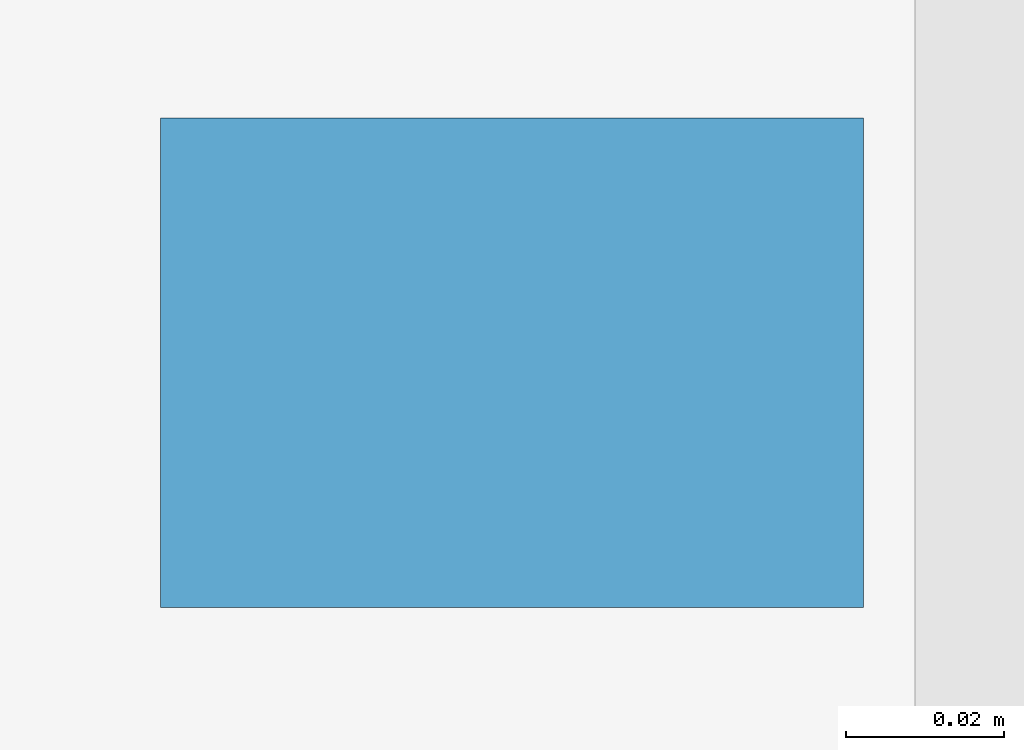
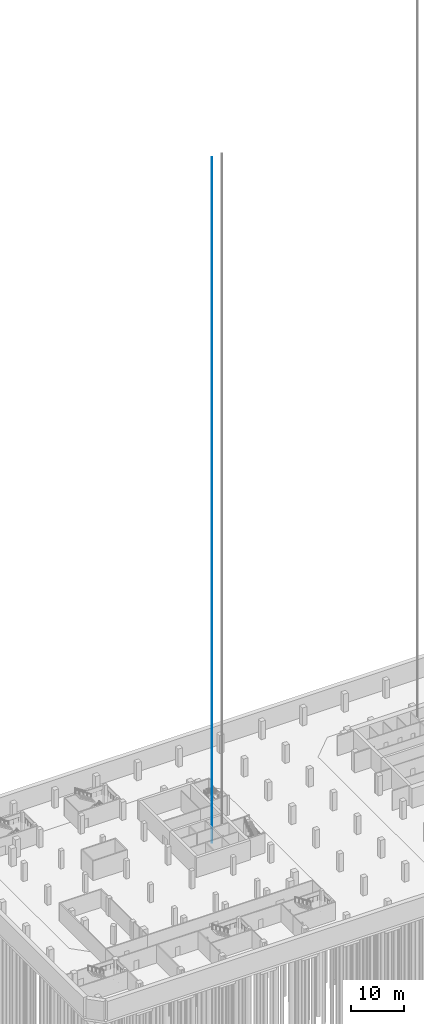
# One storey, part 5 of 30: 1 member.
"""IFC4 building model written with IfcOpenShell, lengths in metres."""

from ifc_helpers import new_model, si_unit, direction, frame, origin, origin_2d, place, context, subcontext, project, spatial, rectangle, extrude, material, material_profile, profile_set, type_object, element, save


model = new_model("IFC4")

# Units and contexts
model_context = context("Model", 3, precision=1e-05, world=origin(), true_north=direction((0.0, 1.0)))
body_context = subcontext(model_context, "Body", "Model", "MODEL_VIEW")
ifc_project = project(units=[si_unit("LENGTHUNIT", "METRE"), si_unit("AREAUNIT", "SQUARE_METRE"), si_unit("VOLUMEUNIT", "CUBIC_METRE"), si_unit("PLANEANGLEUNIT", "RADIAN"), si_unit("MASSUNIT", "GRAM", prefix="KILO")], contexts=[model_context])

# Site, building, storey
site_placement = place(None, origin())
site = spatial("IfcSite", under=ifc_project, at=site_placement, CompositionType="ELEMENT")
building_placement = place(site_placement, origin())
building = spatial("IfcBuilding", under=site, at=building_placement, Name="Cinnabar Reach Civic Tower", CompositionType="ELEMENT")
storey_placement = place(building_placement, frame((0.0, 0.0, -14.0)))
storey = spatial("IfcBuildingStorey", under=building, at=storey_placement, Name="B3", CompositionType="ELEMENT", Elevation=-14.0)

# Member
ifc_material = material(Name="Steel Q355B", Category="steel")
ifc_material_profile = material_profile(ifc_material, rectangle(XDim=0.089, YDim=0.062, at=origin_2d()), Name="T89")
ifc_profile_set = profile_set([ifc_material_profile], Name="Steel Q355B")
member_type = type_object("IfcMemberType", Name="Lift guide rail T89", PredefinedType="MEMBER", material=ifc_profile_set)
member_placement = place(storey_placement, frame((-34.351, 28.875, 0.0), z_axis=(0.0, 0.0, 1.0), x_axis=(1.0, 0.0, 0.0)))
element("IfcMember", 1, at=member_placement, inside=storey, type_object=member_type, Name="Lift guide rail 1", PredefinedType="MEMBER", context=body_context, shape_type="SweptSolid", body=[
    extrude(rectangle(XDim=0.089, YDim=0.062, at=origin_2d()), origin(), (0.0, 0.0, 1.0), 157.55),
])

save(model, "model.ifc")
